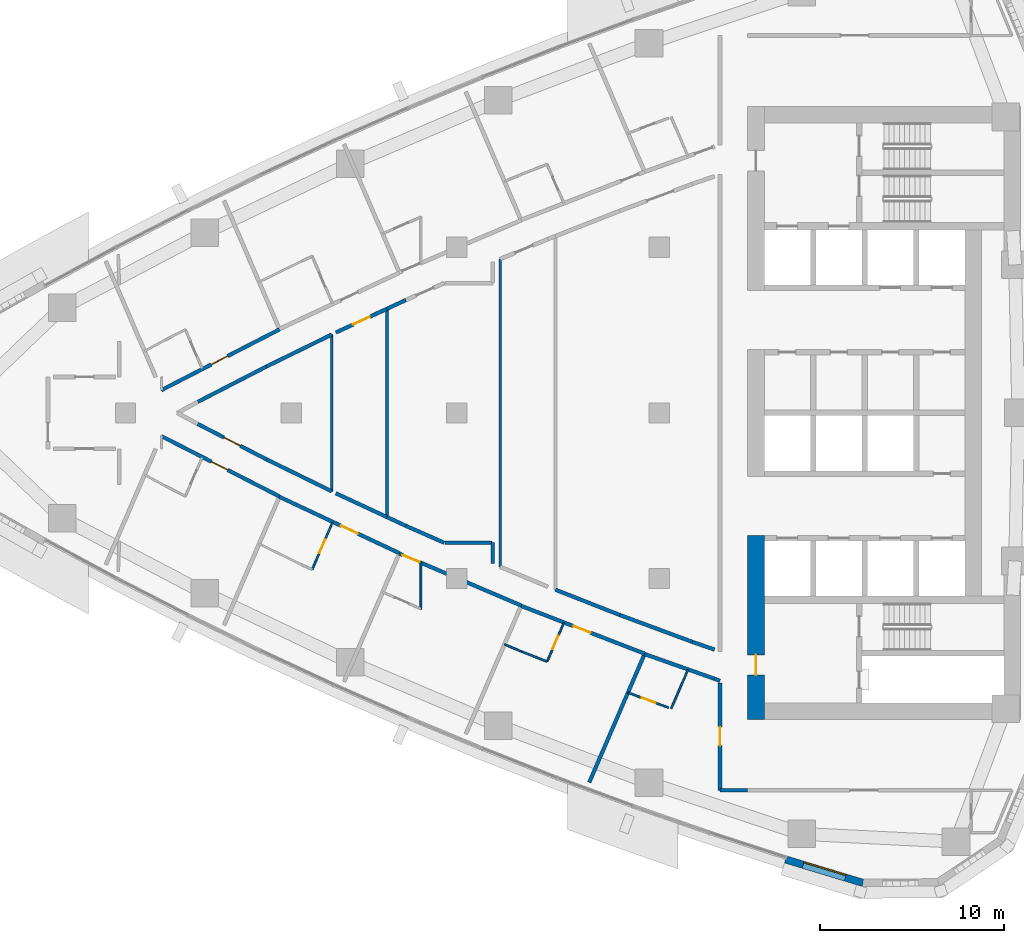
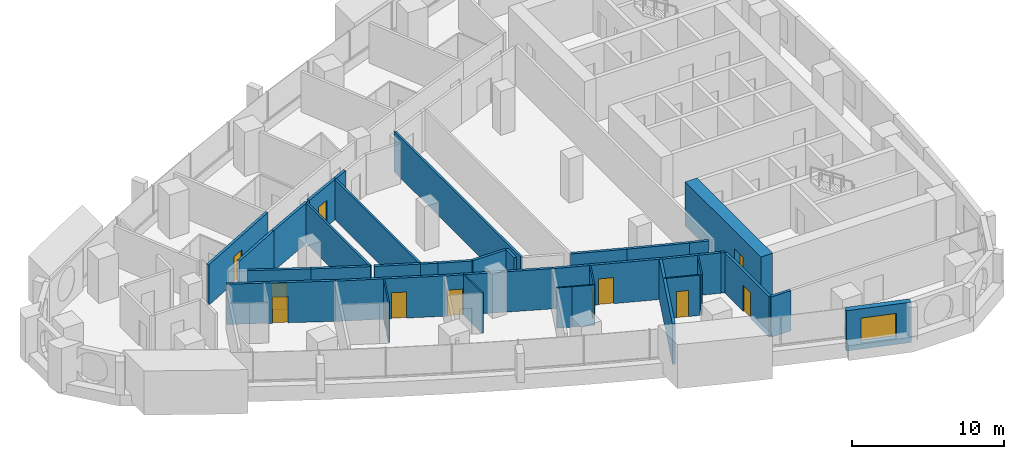
# One storey, part 9 of 17: 36 walls, 12 doors, 1 window, 13 openings.
"""IFC4 building model written with IfcOpenShell, lengths in metres."""

import ifcopenshell
import ifcopenshell.guid

model = None  # the IFC model being written
_history = None  # IfcOwnerHistory: only IFC2X3 demands one
_inside = {}  # id of a spatial element -> (the spatial element, [elements in it])
_under = {}  # id of a project, library or spatial element -> (it, [spatial elements below it])
_declared = {}  # id of a project -> (the project, [libraries it declares])
_typed = {}  # id of a type object -> (the type object, [elements of that type])
_made_of = {}  # id of a material, layer set ... -> (it, [elements and type objects made of it])


def new_model(schema):
    """Start an empty IFC model of exactly this schema.

    Asked for "IFC4X3", IfcOpenShell would pick the latest addendum, in which some entities
    have other attributes; the version numbers below select the first issue.
    IFC2X3 requires an IfcOwnerHistory on every rooted entity: one is made here for all.
    """
    global model, _history
    if schema == "IFC4X3":
        model = ifcopenshell.file(schema_version=(4, 3, 0, 0))
    else:
        model = ifcopenshell.file(schema=schema)
    _inside.clear()
    _under.clear()
    _declared.clear()
    _typed.clear()
    _made_of.clear()
    _history = None
    if model.schema == "IFC2X3":
        org = make("IfcOrganization", Name="unknown")
        user = make(
            "IfcPersonAndOrganization",
            ThePerson=make("IfcPerson", FamilyName="unknown"),
            TheOrganization=org,
        )
        app = make(
            "IfcApplication",
            ApplicationDeveloper=org,
            Version="unknown",
            ApplicationFullName="unknown",
            ApplicationIdentifier="unknown",
        )
        _history = make(
            "IfcOwnerHistory",
            OwningUser=user,
            OwningApplication=app,
            ChangeAction="ADDED",
            CreationDate=0,
        )
    return model


def make(cls, **values):
    """One entity of the class cls with the attributes given. An attribute that is None is left unset."""
    return model.create_entity(
        cls, **{name: value for name, value in values.items() if value is not None}
    )


def rooted(cls, **values):
    """An entity with a GlobalId (a new one), such as an element, a storey or a relation."""
    return make(cls, GlobalId=ifcopenshell.guid.new(), OwnerHistory=_history, **values)


def si_unit(unit_type, name, prefix=None):
    """IfcSIUnit, for example si_unit("LENGTHUNIT", "METRE", prefix="MILLI")."""
    return make("IfcSIUnit", UnitType=unit_type, Prefix=prefix, Name=name)


def assignment(units):
    """IfcUnitAssignment: the units of a project."""
    return None if units is None else make("IfcUnitAssignment", Units=units)


def point(xyz):
    """IfcCartesianPoint."""
    return None if xyz is None else make("IfcCartesianPoint", Coordinates=xyz)


def direction(xyz):
    """IfcDirection."""
    return None if xyz is None else make("IfcDirection", DirectionRatios=xyz)


def frame(location, z_axis=None, x_axis=None):
    """IfcAxis2Placement3D, a coordinate frame: its origin and axes. An axis left out is left unset."""
    return make(
        "IfcAxis2Placement3D",
        Location=point(location),
        Axis=direction(z_axis),
        RefDirection=direction(x_axis),
    )


def frame_2d(location, x_axis=None):
    """IfcAxis2Placement2D, a coordinate frame in the plane: its origin and x axis."""
    return make(
        "IfcAxis2Placement2D", Location=point(location), RefDirection=direction(x_axis)
    )


def origin():
    """The frame at (0, 0, 0) with its axes left unset."""
    return frame((0.0, 0.0, 0.0))


def place(relative_to, where):
    """IfcLocalPlacement: puts the frame where relative to a parent placement (None: the world)."""
    return make(
        "IfcLocalPlacement", PlacementRelTo=relative_to, RelativePlacement=where
    )


def context(
    kind, dimensions, precision=None, world=None, true_north=None, identifier=None
):
    """IfcGeometricRepresentationContext, for example the 3D "Model" context."""
    return make(
        "IfcGeometricRepresentationContext",
        ContextIdentifier=identifier,
        ContextType=kind,
        CoordinateSpaceDimension=dimensions,
        Precision=precision,
        WorldCoordinateSystem=world,
        TrueNorth=true_north,
    )


def subcontext(parent, identifier, kind, view, scale=None):
    """IfcGeometricRepresentationSubContext, for example "Body" below "Model"."""
    return make(
        "IfcGeometricRepresentationSubContext",
        ContextIdentifier=identifier,
        ContextType=kind,
        ParentContext=parent,
        TargetScale=scale,
        TargetView=view,
    )


def project(units=None, contexts=None):
    """IfcProject with its units and contexts."""
    return rooted(
        "IfcProject",
        Name="project",
        RepresentationContexts=contexts,
        UnitsInContext=assignment(units),
    )


def spatial(cls, under=None, at=None, **own):
    """A site, building, storey or space (cls), placed at a placement, below another one or the project."""
    s = rooted(cls, ObjectPlacement=at, **own)
    if under is not None:
        _under.setdefault(under.id(), (under, []))[1].append(s)
    return s


def polyline(points):
    """IfcPolyline through the points."""
    return make("IfcPolyline", Points=[point(p) for p in points])


def profile(cls, at=None, kind="AREA", **sizes):
    """A parametric profile (cls). Its sizes go by their IFC names, for example OverallWidth=200.0."""
    return make(cls, ProfileType=kind, Position=at, **sizes)


def rectangle(**sizes):
    """IfcRectangleProfileDef."""
    return profile("IfcRectangleProfileDef", **sizes)


def outline(outer, holes=None, kind="AREA"):
    """IfcArbitraryClosedProfileDef: a profile drawn as a closed curve; with holes, ...WithVoids."""
    if holes is None:
        return make("IfcArbitraryClosedProfileDef", ProfileType=kind, OuterCurve=outer)
    return make(
        "IfcArbitraryProfileDefWithVoids",
        ProfileType=kind,
        OuterCurve=outer,
        InnerCurves=holes,
    )


def extrude(swept, where, along, depth):
    """IfcExtrudedAreaSolid: the profile swept, set in the frame where, extruded along a direction by depth."""
    return make(
        "IfcExtrudedAreaSolid",
        SweptArea=swept,
        Position=where,
        ExtrudedDirection=direction(along),
        Depth=depth,
    )


def shape(context_of_items, identifier, shape_type, items):
    """IfcShapeRepresentation: the items that make up one representation, for example the "Body"."""
    return make(
        "IfcShapeRepresentation",
        ContextOfItems=context_of_items,
        RepresentationIdentifier=identifier,
        RepresentationType=shape_type,
        Items=items,
    )


def material(Name=None, Category=None):
    """IfcMaterial."""
    return make("IfcMaterial", Name=Name, Category=Category)


def layer(
    of_material, thickness, ventilated=None, Name=None, Category=None, Priority=None
):
    """IfcMaterialLayer: one layer of a wall or slab, of a material (None: an air gap)."""
    return make(
        "IfcMaterialLayer",
        Material=of_material,
        LayerThickness=thickness,
        IsVentilated=ventilated,
        Name=Name,
        Category=Category,
        Priority=Priority,
    )


def layer_set(layers, Name=None):
    """IfcMaterialLayerSet."""
    return make("IfcMaterialLayerSet", MaterialLayers=layers, LayerSetName=Name)


def made_of(thing, what):
    """Note that an element or type object is made of a material, layer set ...; save() writes the relation."""
    if what is not None:
        _made_of.setdefault(what.id(), (what, []))[1].append(thing)
    return thing


def type_object(cls, material=None, **own):
    """A type object (cls), such as IfcWallType, which elements share."""
    return made_of(rooted(cls, **own), material)


def element(
    cls,
    number,
    at=None,
    inside=None,
    cuts=None,
    type_object=None,
    material=None,
    context=None,
    identifier="Body",
    shape_type=None,
    held_by="IfcProductDefinitionShape",
    body=None,
    shapes=None,
    **own,
):
    """One element of the class cls, such as IfcWall. Its Tag is "e" and its number.

    at: its placement. inside: the storey or other place that contains it. cuts: it is an
    opening in that element (IfcRelVoidsElement). A single representation is given by context,
    identifier, shape_type and body (its items); several are given by shapes. held_by: the class
    of the entity that holds the representations. save() writes the other relations.
    """
    e = rooted(cls, Tag="e%d" % number, ObjectPlacement=at, **own)
    if body is not None:
        shapes = [shape(context, identifier, shape_type, body)]
    if shapes is not None:
        e.Representation = make(held_by, Representations=shapes)
    if inside is not None:
        _inside.setdefault(inside.id(), (inside, []))[1].append(e)
    if cuts is not None:
        rooted(
            "IfcRelVoidsElement", RelatingBuildingElement=cuts, RelatedOpeningElement=e
        )
    if type_object is not None:
        _typed.setdefault(type_object.id(), (type_object, []))[1].append(e)
    return made_of(e, material)


def fill(opening, filler):
    """IfcRelFillsElement: the door or window that sits in an opening."""
    return rooted(
        "IfcRelFillsElement",
        RelatingOpeningElement=opening,
        RelatedBuildingElement=filler,
    )


def aggregate(whole, parts):
    """IfcRelAggregates: a whole, such as a stair, and the parts it consists of."""
    return rooted("IfcRelAggregates", RelatingObject=whole, RelatedObjects=parts)


def save(model, path):
    """Write the relations noted so far, then the file.

    IfcRelAggregates (storeys below a building ...), IfcRelContainedInSpatialStructure (elements
    in a storey), IfcRelDefinesByType, IfcRelAssociatesMaterial and IfcRelDeclares: one each for
    every whole, place, type object, material and project.
    """
    for whole, parts in _under.values():
        aggregate(whole, parts)
    for where, things in _inside.values():
        rooted(
            "IfcRelContainedInSpatialStructure",
            RelatedElements=things,
            RelatingStructure=where,
        )
    for kind, things in _typed.values():
        rooted("IfcRelDefinesByType", RelatedObjects=things, RelatingType=kind)
    for what, things in _made_of.values():
        rooted("IfcRelAssociatesMaterial", RelatedObjects=things, RelatingMaterial=what)
    for by, libraries in _declared.values():
        rooted("IfcRelDeclares", RelatingContext=by, RelatedDefinitions=libraries)
    model.write(path)


model = new_model("IFC4")

# Units and contexts
model_context = context("Model", 3, precision=1e-05, world=origin(), true_north=direction((0.0, 1.0)))
body_context = subcontext(model_context, "Body", "Model", "MODEL_VIEW")
ifc_project = project(units=[si_unit("LENGTHUNIT", "METRE"), si_unit("AREAUNIT", "SQUARE_METRE"), si_unit("VOLUMEUNIT", "CUBIC_METRE"), si_unit("PLANEANGLEUNIT", "RADIAN"), si_unit("MASSUNIT", "GRAM", prefix="KILO")], contexts=[model_context])

# Site, building, storey
site_placement = place(None, origin())
site = spatial("IfcSite", under=ifc_project, at=site_placement, CompositionType="ELEMENT")
building_placement = place(site_placement, origin())
building = spatial("IfcBuilding", under=site, at=building_placement, Name="Ostrand Prow Hotel Tower", CompositionType="ELEMENT")
storey_placement = place(building_placement, frame((0.0, 0.0, 137.300048828125)))
storey = spatial("IfcBuildingStorey", under=building, at=storey_placement, Name="L33", CompositionType="ELEMENT", Elevation=137.300048828125)

# Wall, opening, door
ifc_material_1 = material(Name="Concrete C70/85", Category="concrete")
ifc_layer_1 = layer(ifc_material_1, 0.89990234375)
ifc_layer_set_1 = layer_set([ifc_layer_1], Name="Concrete C70/85")
wall_type_1 = type_object("IfcWallType", Name="Core wall 900 C70/85", PredefinedType="SHEAR", material=ifc_layer_set_1)
wall_1_placement = place(storey_placement, frame((50.25, -16.64990234375, 0.0), z_axis=(0.0, 0.0, 1.0), x_axis=(0.0, 1.0, 0.0)))
wall_1 = element("IfcWall", 1, at=wall_1_placement, inside=storey, type_object=wall_type_1, Name="Core wall CW-W-S", PredefinedType="SHEAR", context=body_context, shape_type="SweptSolid", body=[
    extrude(rectangle(XDim=10.0, YDim=0.89990234375, at=frame_2d((5.0, 0.0))), origin(), (0.0, 0.0, 1.0), 3.550048828125),
])
opening_1_placement = place(wall_1_placement, frame((2.39990234375, 0.0, 0.0)))
opening_1 = element("IfcOpeningElement", 2, at=opening_1_placement, cuts=wall_1, Name="Opening FD1", PredefinedType="OPENING", context=body_context, shape_type="SweptSolid", body=[
    extrude(rectangle(XDim=1.10009765625, YDim=2.10009765625, at=frame_2d((0.550048828125, 1.050048828125))), frame((0.0, 0.4599609375, 0.0), z_axis=(0.0, -1.0, 0.0), x_axis=(1.0, 0.0, 0.0)), (0.0, 0.0, 1.0), 0.919921875),
])
ifc_material_2 = material(Name="Steel fire door", Category="steel")
door_type_1 = type_object("IfcDoorType", Name="Fire door 1100 EI120", OperationType="SINGLE_SWING_RIGHT", PredefinedType="DOOR", material=ifc_material_2)
door_1_placement = place(opening_1_placement, origin())
door_1 = element("IfcDoor", 3, at=door_1_placement, inside=storey, type_object=door_type_1, Name="FIRE DOOR", OperationType="SINGLE_SWING_RIGHT", OverallHeight=2.10009765625, OverallWidth=1.10009765625, PredefinedType="DOOR", context=body_context, shape_type="SweptSolid", body=[
    extrude(rectangle(XDim=1.10009765625, YDim=2.10009765625, at=frame_2d((0.550048828125, 1.050048828125))), frame((0.0, 0.02490234375, 0.0), z_axis=(0.0, -1.0, 0.0), x_axis=(1.0, 0.0, 0.0)), (0.0, 0.0, 1.0), 0.050048828125),
])
fill(opening_1, door_1)

ifc_material_3 = material(Name="Plasterboard partition")
ifc_layer_2 = layer(ifc_material_3, 0.10009765625)
ifc_layer_set_2 = layer_set([ifc_layer_2], Name="Plasterboard partition")
wall_type_2 = type_object("IfcWallType", Name="Partition 100 bathroom wall", PredefinedType="PARTITIONING", material=ifc_layer_set_2)
wall_2_placement = place(storey_placement, frame((27.239990234375, -5.959228515625, 0.0), z_axis=(0.0, 0.0, 1.0), x_axis=(-0.396018464604, -0.918242547311, 0.0)))
wall_2 = element("IfcWall", 4, at=wall_2_placement, inside=storey, type_object=wall_type_2, Name="BATHROOM WALL", PredefinedType="PARTITIONING", context=body_context, shape_type="SweptSolid", body=[
    extrude(rectangle(XDim=2.77783203125, YDim=0.10009765625, at=frame_2d((1.388916015625, 0.0))), origin(), (0.0, 0.0, 1.0), 3.25),
])
opening_2_placement = place(wall_2_placement, frame((1.0, 0.0, 0.0)))
opening_2 = element("IfcOpeningElement", 5, at=opening_2_placement, cuts=wall_2, Name="Opening D2", PredefinedType="OPENING", context=body_context, shape_type="SweptSolid", body=[
    extrude(rectangle(XDim=0.800048828125, YDim=2.10009765625, at=frame_2d((0.39990234375, 1.050048828125))), frame((0.0, 0.06005859375, 0.0), z_axis=(0.0, -1.0, 0.0), x_axis=(1.0, 0.0, 0.0)), (0.0, 0.0, 1.0), 0.1201171875),
])
ifc_material_4 = material(Name="Timber door leaf", Category="wood")
door_type_2 = type_object("IfcDoorType", Name="Bathroom door 800", OperationType="SINGLE_SWING_LEFT", PredefinedType="DOOR", material=ifc_material_4)
door_2_placement = place(opening_2_placement, origin())
door_2 = element("IfcDoor", 6, at=door_2_placement, inside=storey, type_object=door_type_2, Name="DOOR", OperationType="SINGLE_SWING_LEFT", OverallHeight=2.10009765625, OverallWidth=0.800048828125, PredefinedType="DOOR", context=body_context, shape_type="SweptSolid", body=[
    extrude(rectangle(XDim=0.800048828125, YDim=2.10009765625, at=frame_2d((0.39990234375, 1.050048828125))), frame((0.0, 0.02490234375, 0.0), z_axis=(0.0, -1.0, 0.0), x_axis=(1.0, 0.0, 0.0)), (0.0, 0.0, 1.0), 0.050048828125),
])
fill(opening_2, door_2)

wall_3_placement = place(storey_placement, frame((39.805908203125, -11.4169921875, 0.0), z_axis=(0.0, 0.0, 1.0), x_axis=(-0.396000751487, -0.918250186399, 0.0)))
wall_3 = element("IfcWall", 7, at=wall_3_placement, inside=storey, type_object=wall_type_2, Name="BATHROOM WALL", PredefinedType="PARTITIONING", context=body_context, shape_type="SweptSolid", body=[
    extrude(rectangle(XDim=2.278076171875, YDim=0.10009765625, at=frame_2d((1.13916015625, 0.0))), origin(), (0.0, 0.0, 1.0), 3.25),
])
opening_3_placement = place(wall_3_placement, frame((0.75, 0.0, 0.0)))
opening_3 = element("IfcOpeningElement", 8, at=opening_3_placement, cuts=wall_3, Name="Opening D2", PredefinedType="OPENING", context=body_context, shape_type="SweptSolid", body=[
    extrude(rectangle(XDim=0.800048828125, YDim=2.10009765625, at=frame_2d((0.39990234375, 1.050048828125))), frame((0.0, 0.06005859375, 0.0), z_axis=(0.0, -1.0, 0.0), x_axis=(1.0, 0.0, 0.0)), (0.0, 0.0, 1.0), 0.1201171875),
])
door_3_placement = place(opening_3_placement, origin())
door_3 = element("IfcDoor", 9, at=door_3_placement, inside=storey, type_object=door_type_2, Name="DOOR", OperationType="SINGLE_SWING_LEFT", OverallHeight=2.10009765625, OverallWidth=0.800048828125, PredefinedType="DOOR", context=body_context, shape_type="SweptSolid", body=[
    extrude(rectangle(XDim=0.800048828125, YDim=2.10009765625, at=frame_2d((0.39990234375, 1.050048828125))), frame((0.0, 0.02490234375, 0.0), z_axis=(0.0, -1.0, 0.0), x_axis=(1.0, 0.0, 0.0)), (0.0, 0.0, 1.0), 0.050048828125),
])
fill(opening_3, door_3)

# Walls
wall_4_placement = place(storey_placement, frame((38.90380859375, -13.5087890625, 0.0), z_axis=(0.0, 0.0, 1.0), x_axis=(-0.930584239012, 0.366077825199, 0.0)))
element("IfcWall", 10, at=wall_4_placement, inside=storey, type_object=wall_type_2, Name="BATHROOM WALL", PredefinedType="PARTITIONING", context=body_context, shape_type="SweptSolid", body=[
    extrude(rectangle(XDim=1.4912109375, YDim=0.10009765625, at=frame_2d((0.74560546875, 0.0))), origin(), (0.0, 0.0, 1.0), 3.25),
])
wall_5_placement = place(storey_placement, frame((37.51611328125, -12.962890625, 0.0), z_axis=(0.0, 0.0, 1.0), x_axis=(-0.923026834192, 0.384735575897, 0.0)))
element("IfcWall", 11, at=wall_5_placement, inside=storey, type_object=wall_type_2, Name="BATHROOM WALL", PredefinedType="PARTITIONING", context=body_context, shape_type="SweptSolid", body=[
    extrude(rectangle(XDim=1.009521484375, YDim=0.10009765625, at=frame_2d((0.5048828125, 0.0))), origin(), (0.0, 0.0, 1.0), 3.25),
])
wall_6_placement = place(storey_placement, frame((46.5478515625, -13.965087890625, 0.0), z_axis=(0.0, 0.0, 1.0), x_axis=(-0.395944391694, -0.918274489837, 0.0)))
element("IfcWall", 12, at=wall_6_placement, inside=storey, type_object=wall_type_2, Name="BATHROOM WALL", PredefinedType="PARTITIONING", context=body_context, shape_type="SweptSolid", body=[
    extrude(rectangle(XDim=2.283203125, YDim=0.10009765625, at=frame_2d((1.1416015625, 0.0))), origin(), (0.0, 0.0, 1.0), 3.25),
])

# Wall, opening, door
wall_7_placement = place(storey_placement, frame((45.497314453125, -16.0107421875, 0.0), z_axis=(0.0, 0.0, 1.0), x_axis=(-0.937739981943, 0.347338057613, 0.0)))
wall_7 = element("IfcWall", 13, at=wall_7_placement, inside=storey, type_object=wall_type_2, Name="BATHROOM WALL", PredefinedType="PARTITIONING", context=body_context, shape_type="SweptSolid", body=[
    extrude(rectangle(XDim=2.348388671875, YDim=0.10009765625, at=frame_2d((1.17431640625, 0.0))), origin(), (0.0, 0.0, 1.0), 3.25),
])
opening_4_placement = place(wall_7_placement, frame((0.75, 0.0, 0.0)))
opening_4 = element("IfcOpeningElement", 14, at=opening_4_placement, cuts=wall_7, Name="Opening D2", PredefinedType="OPENING", context=body_context, shape_type="SweptSolid", body=[
    extrude(rectangle(XDim=0.800048828125, YDim=2.10009765625, at=frame_2d((0.39990234375, 1.050048828125))), frame((0.0, 0.06005859375, 0.0), z_axis=(0.0, -1.0, 0.0), x_axis=(1.0, 0.0, 0.0)), (0.0, 0.0, 1.0), 0.1201171875),
])
door_4_placement = place(opening_4_placement, origin())
door_4 = element("IfcDoor", 15, at=door_4_placement, inside=storey, type_object=door_type_2, Name="DOOR", OperationType="SINGLE_SWING_LEFT", OverallHeight=2.10009765625, OverallWidth=0.800048828125, PredefinedType="DOOR", context=body_context, shape_type="SweptSolid", body=[
    extrude(rectangle(XDim=0.800048828125, YDim=2.10009765625, at=frame_2d((0.39990234375, 1.050048828125))), frame((0.0, 0.02490234375, 0.0), z_axis=(0.0, -1.0, 0.0), x_axis=(1.0, 0.0, 0.0)), (0.0, 0.0, 1.0), 0.050048828125),
])
fill(opening_4, door_4)

# Walls
wall_8_placement = place(storey_placement, frame((32.044921875, -8.13818359375, 0.0), z_axis=(0.0, 0.0, 1.0), x_axis=(0.0, -1.0, 0.0)))
element("IfcWall", 16, at=wall_8_placement, inside=storey, type_object=wall_type_2, Name="BATHROOM WALL", PredefinedType="PARTITIONING", context=body_context, shape_type="SweptSolid", body=[
    extrude(rectangle(XDim=2.52294921875, YDim=0.10009765625, at=frame_2d((1.261474609375, 0.0))), origin(), (0.0, 0.0, 1.0), 3.25),
])
ifc_material_5 = material(Name="Plasterboard partition")
ifc_layer_3 = layer(ifc_material_5, 0.14990234375)
ifc_layer_set_3 = layer_set([ifc_layer_3], Name="Plasterboard partition")
wall_type_3 = type_object("IfcWallType", Name="Partition 150 room partition", PredefinedType="PARTITIONING", material=ifc_layer_set_3)
wall_9_placement = place(storey_placement, frame((27.201904296875, -4.256591796875, 0.0), z_axis=(0.0, 0.0, 1.0), x_axis=(0.0, 1.0, 0.0)))
element("IfcWall", 17, at=wall_9_placement, inside=storey, type_object=wall_type_3, Name="ROOM PARTITION", PredefinedType="PARTITIONING", context=body_context, shape_type="SweptSolid", body=[
    extrude(rectangle(XDim=8.51318359375, YDim=0.14990234375, at=frame_2d((4.256591796875, 0.0))), origin(), (0.0, 0.0, 1.0), 3.25),
])
wall_10_placement = place(storey_placement, frame((30.201904296875, -5.656494140625, 0.0), z_axis=(0.0, 0.0, 1.0), x_axis=(0.0, 1.0, 0.0)))
element("IfcWall", 18, at=wall_10_placement, inside=storey, type_object=wall_type_3, Name="ROOM PARTITION", PredefinedType="PARTITIONING", context=body_context, shape_type="SweptSolid", body=[
    extrude(rectangle(XDim=11.31298828125, YDim=0.14990234375, at=frame_2d((5.656494140625, 0.0))), origin(), (0.0, 0.0, 1.0), 3.25),
])
wall_11_placement = place(storey_placement, frame((36.35302734375, -8.361083984375, 0.0), z_axis=(0.0, 0.0, 1.0), x_axis=(0.0, 1.0, 0.0)))
element("IfcWall", 19, at=wall_11_placement, inside=storey, type_object=wall_type_3, Name="ROOM PARTITION", PredefinedType="PARTITIONING", context=body_context, shape_type="SweptSolid", body=[
    extrude(rectangle(XDim=16.72216796875, YDim=0.14990234375, at=frame_2d((8.361083984375, 0.0))), origin(), (0.0, 0.0, 1.0), 3.25),
])

# Wall, opening, door
ifc_material_6 = material(Name="Plasterboard partition")
ifc_layer_4 = layer(ifc_material_6, 0.199951171875)
ifc_layer_set_4 = layer_set([ifc_layer_4], Name="Plasterboard partition")
wall_type_4 = type_object("IfcWallType", Name="Partition 200 corridor wall", PredefinedType="PARTITIONING", material=ifc_layer_set_4)
wall_12_placement = place(storey_placement, frame((17.949951171875, 1.238037109375, 0.0), z_axis=(0.0, 0.0, 1.0), x_axis=(0.889253598622, 0.457414513694, 0.0)))
wall_12 = element("IfcWall", 20, at=wall_12_placement, inside=storey, type_object=wall_type_4, Name="CORRIDOR WALL", PredefinedType="PARTITIONING", context=body_context, shape_type="SweptSolid", body=[
    extrude(rectangle(XDim=7.216796875, YDim=0.199951171875, at=frame_2d((3.6083984375, 0.0))), origin(), (0.0, 0.0, 1.0), 3.25),
])
opening_5_placement = place(wall_12_placement, frame((3.050048828125, 0.0, 0.0)))
opening_5 = element("IfcOpeningElement", 21, at=opening_5_placement, cuts=wall_12, Name="Opening D1", PredefinedType="OPENING", context=body_context, shape_type="SweptSolid", body=[
    extrude(rectangle(XDim=1.0, YDim=2.10009765625, at=frame_2d((0.5, 1.050048828125))), frame((0.0, 0.10986328125, 0.0), z_axis=(0.0, -1.0, 0.0), x_axis=(1.0, 0.0, 0.0)), (0.0, 0.0, 1.0), 0.219970703125),
])
ifc_material_7 = material(Name="Timber door leaf", Category="wood")
door_type_3 = type_object("IfcDoorType", Name="Guest room door 1000", OperationType="SINGLE_SWING_LEFT", PredefinedType="DOOR", material=ifc_material_7)
door_5_placement = place(opening_5_placement, origin())
door_5 = element("IfcDoor", 22, at=door_5_placement, inside=storey, type_object=door_type_3, Name="DOOR", OperationType="SINGLE_SWING_LEFT", OverallHeight=2.10009765625, OverallWidth=1.0, PredefinedType="DOOR", context=body_context, shape_type="SweptSolid", body=[
    extrude(rectangle(XDim=1.0, YDim=2.10009765625, at=frame_2d((0.5, 1.050048828125))), frame((0.0, 0.02490234375, 0.0), z_axis=(0.0, -1.0, 0.0), x_axis=(1.0, 0.0, 0.0)), (0.0, 0.0, 1.0), 0.050048828125),
])
fill(opening_5, door_5)

wall_13_placement = place(storey_placement, frame((17.949951171875, -1.2607421875, 0.0), z_axis=(0.0, 0.0, 1.0), x_axis=(0.890531681441, -0.45492122873, 0.0)))
wall_13 = element("IfcWall", 23, at=wall_13_placement, inside=storey, type_object=wall_type_4, Name="CORRIDOR WALL", PredefinedType="PARTITIONING", context=body_context, shape_type="SweptSolid", body=[
    extrude(rectangle(XDim=7.206298828125, YDim=0.199951171875, at=frame_2d((3.60302734375, 0.0))), origin(), (0.0, 0.0, 1.0), 3.25),
])
opening_6_placement = place(wall_13_placement, frame((3.050048828125, 0.0, 0.0)))
opening_6 = element("IfcOpeningElement", 24, at=opening_6_placement, cuts=wall_13, Name="Opening D1", PredefinedType="OPENING", context=body_context, shape_type="SweptSolid", body=[
    extrude(rectangle(XDim=1.0, YDim=2.10009765625, at=frame_2d((0.5, 1.050048828125))), frame((0.0, 0.10986328125, 0.0), z_axis=(0.0, -1.0, 0.0), x_axis=(1.0, 0.0, 0.0)), (0.0, 0.0, 1.0), 0.219970703125),
])
door_6_placement = place(opening_6_placement, origin())
door_6 = element("IfcDoor", 25, at=door_6_placement, inside=storey, type_object=door_type_3, Name="DOOR", OperationType="SINGLE_SWING_LEFT", OverallHeight=2.10009765625, OverallWidth=1.0, PredefinedType="DOOR", context=body_context, shape_type="SweptSolid", body=[
    extrude(rectangle(XDim=1.0, YDim=2.10009765625, at=frame_2d((0.5, 1.050048828125))), frame((0.0, 0.02490234375, 0.0), z_axis=(0.0, -1.0, 0.0), x_axis=(1.0, 0.0, 0.0)), (0.0, 0.0, 1.0), 0.050048828125),
])
fill(opening_6, door_6)

wall_14_placement = place(storey_placement, frame((24.359619140625, -4.557373046875, 0.0), z_axis=(0.0, 0.0, 1.0), x_axis=(0.905157912263, -0.425075468439, 0.0)))
wall_14 = element("IfcWall", 26, at=wall_14_placement, inside=storey, type_object=wall_type_4, Name="CORRIDOR WALL", PredefinedType="PARTITIONING", context=body_context, shape_type="SweptSolid", body=[
    extrude(rectangle(XDim=7.203369140625, YDim=0.199951171875, at=frame_2d((3.6015625, 0.0))), origin(), (0.0, 0.0, 1.0), 3.25),
])
opening_7_placement = place(wall_14_placement, frame((3.699951171875, 0.0, 0.0)))
opening_7 = element("IfcOpeningElement", 27, at=opening_7_placement, cuts=wall_14, Name="Opening D1", PredefinedType="OPENING", context=body_context, shape_type="SweptSolid", body=[
    extrude(rectangle(XDim=1.0, YDim=2.10009765625, at=frame_2d((0.5, 1.050048828125))), frame((0.0, 0.10986328125, 0.0), z_axis=(0.0, -1.0, 0.0), x_axis=(1.0, 0.0, 0.0)), (0.0, 0.0, 1.0), 0.219970703125),
])
door_7_placement = place(opening_7_placement, origin())
door_7 = element("IfcDoor", 28, at=door_7_placement, inside=storey, type_object=door_type_3, Name="DOOR", OperationType="SINGLE_SWING_LEFT", OverallHeight=2.10009765625, OverallWidth=1.0, PredefinedType="DOOR", context=body_context, shape_type="SweptSolid", body=[
    extrude(rectangle(XDim=1.0, YDim=2.10009765625, at=frame_2d((0.5, 1.050048828125))), frame((0.0, 0.02490234375, 0.0), z_axis=(0.0, -1.0, 0.0), x_axis=(1.0, 0.0, 0.0)), (0.0, 0.0, 1.0), 0.050048828125),
])
fill(opening_7, door_7)

wall_15_placement = place(storey_placement, frame((30.8720703125, -7.6376953125, 0.0), z_axis=(0.0, 0.0, 1.0), x_axis=(0.919834621271, -0.392306346509, 0.0)))
wall_15 = element("IfcWall", 29, at=wall_15_placement, inside=storey, type_object=wall_type_4, Name="CORRIDOR WALL", PredefinedType="PARTITIONING", context=body_context, shape_type="SweptSolid", body=[
    extrude(rectangle(XDim=7.2001953125, YDim=0.199951171875, at=frame_2d((3.60009765625, 0.0))), origin(), (0.0, 0.0, 1.0), 3.25),
])
opening_8_placement = place(wall_15_placement, frame((0.199951171875, 0.0, 0.0)))
opening_8 = element("IfcOpeningElement", 30, at=opening_8_placement, cuts=wall_15, Name="Opening D1", PredefinedType="OPENING", context=body_context, shape_type="SweptSolid", body=[
    extrude(rectangle(XDim=1.0, YDim=2.10009765625, at=frame_2d((0.5, 1.050048828125))), frame((0.0, 0.10986328125, 0.0), z_axis=(0.0, -1.0, 0.0), x_axis=(1.0, 0.0, 0.0)), (0.0, 0.0, 1.0), 0.219970703125),
])
door_8_placement = place(opening_8_placement, origin())
door_8 = element("IfcDoor", 31, at=door_8_placement, inside=storey, type_object=door_type_3, Name="DOOR", OperationType="SINGLE_SWING_LEFT", OverallHeight=2.10009765625, OverallWidth=1.0, PredefinedType="DOOR", context=body_context, shape_type="SweptSolid", body=[
    extrude(rectangle(XDim=1.0, YDim=2.10009765625, at=frame_2d((0.5, 1.050048828125))), frame((0.0, 0.02490234375, 0.0), z_axis=(0.0, -1.0, 0.0), x_axis=(1.0, 0.0, 0.0)), (0.0, 0.0, 1.0), 0.050048828125),
])
fill(opening_8, door_8)

wall_16_placement = place(storey_placement, frame((37.487060546875, -10.480712890625, 0.0), z_axis=(0.0, 0.0, 1.0), x_axis=(0.932657486666, -0.360763097567, 0.0)))
wall_16 = element("IfcWall", 32, at=wall_16_placement, inside=storey, type_object=wall_type_4, Name="CORRIDOR WALL", PredefinedType="PARTITIONING", context=body_context, shape_type="SweptSolid", body=[
    extrude(rectangle(XDim=7.205078125, YDim=0.199951171875, at=frame_2d((3.6025390625, 0.0))), origin(), (0.0, 0.0, 1.0), 3.25),
])
opening_9_placement = place(wall_16_placement, frame((3.050048828125, 0.0, 0.0)))
opening_9 = element("IfcOpeningElement", 33, at=opening_9_placement, cuts=wall_16, Name="Opening D1", PredefinedType="OPENING", context=body_context, shape_type="SweptSolid", body=[
    extrude(rectangle(XDim=1.0, YDim=2.10009765625, at=frame_2d((0.5, 1.050048828125))), frame((0.0, 0.10986328125, 0.0), z_axis=(0.0, -1.0, 0.0), x_axis=(1.0, 0.0, 0.0)), (0.0, 0.0, 1.0), 0.219970703125),
])
door_9_placement = place(opening_9_placement, origin())
door_9 = element("IfcDoor", 34, at=door_9_placement, inside=storey, type_object=door_type_3, Name="DOOR", OperationType="SINGLE_SWING_LEFT", OverallHeight=2.10009765625, OverallWidth=1.0, PredefinedType="DOOR", context=body_context, shape_type="SweptSolid", body=[
    extrude(rectangle(XDim=1.0, YDim=2.10009765625, at=frame_2d((0.5, 1.050048828125))), frame((0.0, 0.02490234375, 0.0), z_axis=(0.0, -1.0, 0.0), x_axis=(1.0, 0.0, 0.0)), (0.0, 0.0, 1.0), 0.050048828125),
])
fill(opening_9, door_9)

wall_17_placement = place(storey_placement, frame((23.65869140625, -2.52197265625, 0.0), z_axis=(0.0, 0.0, 1.0), x_axis=(-0.889140337289, 0.457634636589, 0.0)))
wall_17 = element("IfcWall", 35, at=wall_17_placement, inside=storey, type_object=wall_type_4, Name="CORRIDOR WALL", PredefinedType="PARTITIONING", context=body_context, shape_type="SweptSolid", body=[
    extrude(rectangle(XDim=4.1953125, YDim=0.199951171875, at=frame_2d((2.09765625, 0.0))), origin(), (0.0, 0.0, 1.0), 3.25),
])
opening_10_placement = place(wall_17_placement, frame((1.59765625, 0.0, 0.0)))
opening_10 = element("IfcOpeningElement", 36, at=opening_10_placement, cuts=wall_17, Name="Opening D1", PredefinedType="OPENING", context=body_context, shape_type="SweptSolid", body=[
    extrude(rectangle(XDim=1.0, YDim=2.10009765625, at=frame_2d((0.5, 1.050048828125))), frame((0.0, 0.10986328125, 0.0), z_axis=(0.0, -1.0, 0.0), x_axis=(1.0, 0.0, 0.0)), (0.0, 0.0, 1.0), 0.219970703125),
])
door_10_placement = place(opening_10_placement, origin())
door_10 = element("IfcDoor", 37, at=door_10_placement, inside=storey, type_object=door_type_3, Name="DOOR", OperationType="SINGLE_SWING_LEFT", OverallHeight=2.10009765625, OverallWidth=1.0, PredefinedType="DOOR", context=body_context, shape_type="SweptSolid", body=[
    extrude(rectangle(XDim=1.0, YDim=2.10009765625, at=frame_2d((0.5, 1.050048828125))), frame((0.0, 0.02490234375, 0.0), z_axis=(0.0, -1.0, 0.0), x_axis=(1.0, 0.0, 0.0)), (0.0, 0.0, 1.0), 0.050048828125),
])
fill(opening_10, door_10)

# Walls
wall_18_placement = place(storey_placement, frame((19.928466796875, 0.60205078125, 0.0), z_axis=(0.0, 0.0, 1.0), x_axis=(0.889140337289, 0.457634636589, 0.0)))
element("IfcWall", 38, at=wall_18_placement, inside=storey, type_object=wall_type_4, Name="CORRIDOR WALL", PredefinedType="PARTITIONING", context=body_context, shape_type="SweptSolid", body=[
    extrude(rectangle(XDim=4.1953125, YDim=0.199951171875, at=frame_2d((2.09765625, 0.0))), origin(), (0.0, 0.0, 1.0), 3.25),
])
for number, where, z_axis, x_axis, name in (
    (39, (23.65869140625, 2.52197265625, 0.0), (0.0, 0.0, 1.0), (0.898146009837, 0.439697333418, 0.0), "CORRIDOR WALL"),
    (40, (27.201904296875, -4.256591796875, 0.0), (0.0, 0.0, 1.0), (-0.898146009837, 0.439697333418, 0.0), "CORRIDOR WALL"),
):
    element("IfcWall", number, at=place(storey_placement, frame(where, z_axis=z_axis, x_axis=x_axis)), inside=storey, type_object=wall_type_4, Name=name, PredefinedType="PARTITIONING", context=body_context, shape_type="SweptSolid", body=[
        extrude(rectangle(XDim=3.945068359375, YDim=0.199951171875, at=frame_2d((1.97265625, 0.0))), origin(), (0.0, 0.0, 1.0), 3.25),
    ])

# Wall, opening, door
wall_19_placement = place(storey_placement, frame((27.4267578125, 4.36669921875, 0.0), z_axis=(0.0, 0.0, 1.0), x_axis=(0.906842391635, 0.42146990015, 0.0)))
wall_19 = element("IfcWall", 41, at=wall_19_placement, inside=storey, type_object=wall_type_4, Name="CORRIDOR WALL", PredefinedType="PARTITIONING", context=body_context, shape_type="SweptSolid", body=[
    extrude(rectangle(XDim=3.060302734375, YDim=0.199951171875, at=frame_2d((1.5302734375, 0.0))), origin(), (0.0, 0.0, 1.0), 3.25),
])
opening_11_placement = place(wall_19_placement, frame((1.030029296875, 0.0, 0.0)))
opening_11 = element("IfcOpeningElement", 42, at=opening_11_placement, cuts=wall_19, Name="Opening D1R", PredefinedType="OPENING", context=body_context, shape_type="SweptSolid", body=[
    extrude(rectangle(XDim=1.0, YDim=2.10009765625, at=frame_2d((0.5, 1.050048828125))), frame((0.0, 0.10986328125, 0.0), z_axis=(0.0, -1.0, 0.0), x_axis=(1.0, 0.0, 0.0)), (0.0, 0.0, 1.0), 0.219970703125),
])
ifc_material_8 = material(Name="Timber door leaf", Category="wood")
door_type_4 = type_object("IfcDoorType", Name="Guest room door 1000 right", OperationType="SINGLE_SWING_RIGHT", PredefinedType="DOOR", material=ifc_material_8)
door_11_placement = place(opening_11_placement, origin())
door_11 = element("IfcDoor", 43, at=door_11_placement, inside=storey, type_object=door_type_4, Name="DOOR", OperationType="SINGLE_SWING_RIGHT", OverallHeight=2.10009765625, OverallWidth=1.0, PredefinedType="DOOR", context=body_context, shape_type="SweptSolid", body=[
    extrude(rectangle(XDim=1.0, YDim=2.10009765625, at=frame_2d((0.5, 1.050048828125))), frame((0.0, 0.02490234375, 0.0), z_axis=(0.0, -1.0, 0.0), x_axis=(1.0, 0.0, 0.0)), (0.0, 0.0, 1.0), 0.050048828125),
])
fill(opening_11, door_11)

# Walls
wall_20_placement = place(storey_placement, frame((30.201904296875, -5.656494140625, 0.0), z_axis=(0.0, 0.0, 1.0), x_axis=(-0.906842391635, 0.42146990015, 0.0)))
element("IfcWall", 44, at=wall_20_placement, inside=storey, type_object=wall_type_4, Name="CORRIDOR WALL", PredefinedType="PARTITIONING", context=body_context, shape_type="SweptSolid", body=[
    extrude(rectangle(XDim=3.060302734375, YDim=0.199951171875, at=frame_2d((1.5302734375, 0.0))), origin(), (0.0, 0.0, 1.0), 3.25),
])
wall_21_placement = place(storey_placement, frame((33.307861328125, -7.050048828125, 0.0), z_axis=(0.0, 0.0, 1.0), x_axis=(-0.915102334452, 0.403221672881, 0.0)))
element("IfcWall", 45, at=wall_21_placement, inside=storey, type_object=wall_type_4, Name="CORRIDOR WALL", PredefinedType="PARTITIONING", context=body_context, shape_type="SweptSolid", body=[
    extrude(rectangle(XDim=2.269287109375, YDim=0.199951171875, at=frame_2d((1.134765625, 0.0))), origin(), (0.0, 0.0, 1.0), 3.25),
])
for number, where, z_axis, x_axis, name in (
    (46, (31.231201171875, -6.135009765625, 0.0), (0.0, 0.0, 1.0), (-0.906797605575, 0.421566249271, 0.0), "CORRIDOR WALL"),
    (47, (30.201904296875, 5.656494140625, 0.0), (0.0, 0.0, 1.0), (0.906797605575, 0.421566249271, 0.0), "CORRIDOR WALL"),
):
    element("IfcWall", number, at=place(storey_placement, frame(where, z_axis=z_axis, x_axis=x_axis)), inside=storey, type_object=wall_type_4, Name=name, PredefinedType="PARTITIONING", context=body_context, shape_type="SweptSolid", body=[
        extrude(rectangle(XDim=1.135009765625, YDim=0.199951171875, at=frame_2d((0.5673828125, 0.0))), origin(), (0.0, 0.0, 1.0), 3.25),
    ])
wall_22_placement = place(storey_placement, frame((46.78125, -12.43408203125, 0.0), z_axis=(0.0, 0.0, 1.0), x_axis=(-0.937732614305, 0.347357948044, 0.0)))
element("IfcWall", 48, at=wall_22_placement, inside=storey, type_object=wall_type_4, Name="CORRIDOR WALL", PredefinedType="PARTITIONING", context=body_context, shape_type="SweptSolid", body=[
    extrude(rectangle(XDim=4.1953125, YDim=0.199951171875, at=frame_2d((2.09765625, 0.0))), origin(), (0.0, 0.0, 1.0), 3.25),
])
wall_23_placement = place(storey_placement, frame((42.84716796875, -10.976806640625, 0.0), z_axis=(0.0, 0.0, 1.0), x_axis=(-0.930564862228, 0.366127077921, 0.0)))
element("IfcWall", 49, at=wall_23_placement, inside=storey, type_object=wall_type_4, Name="CORRIDOR WALL", PredefinedType="PARTITIONING", context=body_context, shape_type="SweptSolid", body=[
    extrude(rectangle(XDim=3.7548828125, YDim=0.199951171875, at=frame_2d((1.87744140625, 0.0))), origin(), (0.0, 0.0, 1.0), 3.25),
])
wall_24_placement = place(storey_placement, frame((44.19921875, -13.098388671875, 0.0), z_axis=(0.0, 0.0, 1.0), x_axis=(0.942658979264, -0.333757470048, 0.0)))
element("IfcWall", 50, at=wall_24_placement, inside=storey, type_object=wall_type_4, Name="CORRIDOR WALL", PredefinedType="PARTITIONING", context=body_context, shape_type="SweptSolid", body=[
    extrude(rectangle(XDim=4.031982421875, YDim=0.199951171875, at=frame_2d((2.01611328125, 0.0))), origin(), (0.0, 0.0, 1.0), 3.25),
])
wall_25_placement = place(storey_placement, frame((48.0, -12.85791015625, 0.0), z_axis=(0.0, 0.0, 1.0), x_axis=(-0.944517215109, 0.328461916152, 0.0)))
element("IfcWall", 51, at=wall_25_placement, inside=storey, type_object=wall_type_4, Name="CORRIDOR WALL", PredefinedType="PARTITIONING", context=body_context, shape_type="SweptSolid", body=[
    extrude(rectangle(XDim=1.290283203125, YDim=0.199951171875, at=frame_2d((0.64501953125, 0.0))), origin(), (0.0, 0.0, 1.0), 3.25),
])
wall_26_placement = place(storey_placement, frame((35.955078125, -8.18994140625, 0.0), z_axis=(0.0, 0.0, 1.0), x_axis=(-0.002773026881, 0.999996155154, 0.0)))
element("IfcWall", 52, at=wall_26_placement, inside=storey, type_object=wall_type_4, Name="CORRIDOR WALL", PredefinedType="PARTITIONING", context=body_context, shape_type="SweptSolid", body=[
    extrude(rectangle(XDim=1.14453125, YDim=0.199951171875, at=frame_2d((0.572265625, 0.0))), origin(), (0.0, 0.0, 1.0), 3.25),
])
wall_27_placement = place(storey_placement, frame((35.911865234375, -7.04541015625, 0.0), z_axis=(0.0, 0.0, 1.0), x_axis=(-0.999999981873, 0.000190403652, 0.0)))
element("IfcWall", 53, at=wall_27_placement, inside=storey, type_object=wall_type_4, Name="CORRIDOR WALL", PredefinedType="PARTITIONING", context=body_context, shape_type="SweptSolid", body=[
    extrude(rectangle(XDim=2.564453125, YDim=0.199951171875, at=frame_2d((1.2822265625, 0.0))), origin(), (0.0, 0.0, 1.0), 3.25),
])
wall_28_placement = place(storey_placement, frame((48.0, -14.444091796875, 0.0), z_axis=(0.0, 0.0, 1.0), x_axis=(0.937345648791, -0.348400824758, 0.0)))
element("IfcWall", 54, at=wall_28_placement, inside=storey, type_object=wall_type_4, Name="CORRIDOR WALL", PredefinedType="PARTITIONING", context=body_context, shape_type="SweptSolid", body=[
    extrude(rectangle(XDim=0.314697265625, YDim=0.199951171875, at=frame_2d((0.1572265625, 0.0))), origin(), (0.0, 0.0, 1.0), 3.25),
])

# Wall, opening, door
wall_29_placement = place(storey_placement, frame((48.294921875, -14.673583984375, 0.0), z_axis=(0.0, 0.0, 1.0), x_axis=(4.1895345e-05, -0.999999999122, 0.0)))
wall_29 = element("IfcWall", 55, at=wall_29_placement, inside=storey, type_object=wall_type_4, Name="CORRIDOR WALL", PredefinedType="PARTITIONING", context=body_context, shape_type="SweptSolid", body=[
    extrude(rectangle(XDim=5.827392578125, YDim=0.199951171875, at=frame_2d((2.91357421875, 0.0))), origin(), (0.0, 0.0, 1.0), 3.25),
])
opening_12_placement = place(wall_29_placement, frame((2.39990234375, 0.0, 0.0)))
opening_12 = element("IfcOpeningElement", 56, at=opening_12_placement, cuts=wall_29, Name="Opening D1R", PredefinedType="OPENING", context=body_context, shape_type="SweptSolid", body=[
    extrude(rectangle(XDim=1.0, YDim=2.10009765625, at=frame_2d((0.5, 1.050048828125))), frame((0.0, 0.10986328125, 0.0), z_axis=(0.0, -1.0, 0.0), x_axis=(1.0, 0.0, 0.0)), (0.0, 0.0, 1.0), 0.219970703125),
])
door_12_placement = place(opening_12_placement, origin())
door_12 = element("IfcDoor", 57, at=door_12_placement, inside=storey, type_object=door_type_4, Name="DOOR", OperationType="SINGLE_SWING_RIGHT", OverallHeight=2.10009765625, OverallWidth=1.0, PredefinedType="DOOR", context=body_context, shape_type="SweptSolid", body=[
    extrude(rectangle(XDim=1.0, YDim=2.10009765625, at=frame_2d((0.5, 1.050048828125))), frame((0.0, 0.02490234375, 0.0), z_axis=(0.0, -1.0, 0.0), x_axis=(1.0, 0.0, 0.0)), (0.0, 0.0, 1.0), 0.050048828125),
])
fill(opening_12, door_12)

# Walls
wall_30_placement = place(storey_placement, frame((48.295166015625, -20.5009765625, 0.0), z_axis=(0.0, 0.0, 1.0), x_axis=(0.999996631143, -0.002595708322, 0.0)))
element("IfcWall", 58, at=wall_30_placement, inside=storey, type_object=wall_type_4, Name="CORRIDOR WALL", PredefinedType="PARTITIONING", context=body_context, shape_type="SweptSolid", body=[
    extrude(rectangle(XDim=1.5048828125, YDim=0.199951171875, at=frame_2d((0.75244140625, 0.0))), origin(), (0.0, 0.0, 1.0), 3.25),
])
ifc_material_9 = material(Name="Plasterboard partition")
ifc_layer_5 = layer(ifc_material_9, 0.199951171875)
ifc_layer_set_5 = layer_set([ifc_layer_5], Name="Plasterboard partition")
wall_type_5 = type_object("IfcWallType", Name="Partition 200 key partition", PredefinedType="PARTITIONING", material=ifc_layer_set_5)
wall_31_placement = place(storey_placement, frame((41.193359375, -20.068603515625, 0.0), z_axis=(0.0, 0.0, 1.0), x_axis=(0.395981863621, 0.918258331671, 0.0)))
element("IfcWall", 59, at=wall_31_placement, inside=storey, type_object=wall_type_5, Name="KEY PARTITION", PredefinedType="PARTITIONING", context=body_context, shape_type="SweptSolid", body=[
    extrude(rectangle(XDim=7.610595703125, YDim=0.199951171875, at=frame_2d((3.80517578125, 0.0))), origin(), (0.0, 0.0, 1.0), 3.25),
])

# Wall, opening, window
ifc_material_10 = material(Name="Precast concrete C40/50", Category="concrete")
ifc_layer_6 = layer(ifc_material_10, 0.39990234375)
ifc_layer_set_6 = layer_set([ifc_layer_6], Name="Precast concrete C40/50")
wall_type_6 = type_object("IfcWallType", Name="Stone-faced precast wall 400 mm", PredefinedType="NOTDEFINED", material=ifc_layer_set_6)
wall_32_placement = place(storey_placement, frame((51.85888671875, -24.257080078125, 0.0), z_axis=(0.0, 0.0, 1.0), x_axis=(0.956964488344, -0.290205044837, 0.0)))
wall_32 = element("IfcWall", 60, at=wall_32_placement, inside=storey, type_object=wall_type_6, Name="Stone-faced wall back 1", PredefinedType="NOTDEFINED", context=body_context, shape_type="SweptSolid", body=[
    extrude(outline(polyline([(0.0, -0.199951171875), (4.41845703125, -0.199951171875), (4.357421875, 0.199951171875), (0.0, 0.199951171875), (0.0, -0.199951171875)])), origin(), (0.0, 0.0, 1.0), 3.25),
])
opening_13_placement = place(wall_32_placement, frame((0.993896484375, 0.0, 0.5)))
opening_13 = element("IfcOpeningElement", 61, at=opening_13_placement, cuts=wall_32, Name="Opening WA1", PredefinedType="OPENING", context=body_context, shape_type="SweptSolid", body=[
    extrude(rectangle(XDim=2.39990234375, YDim=2.0, at=frame_2d((1.199951171875, 1.0))), frame((0.0, 0.2099609375, 0.0), z_axis=(0.0, -1.0, 0.0), x_axis=(1.0, 0.0, 0.0)), (0.0, 0.0, 1.0), 0.419921875),
])
ifc_material_11 = material(Name="Insulated glass in bronze frame", Category="glass")
window_type = type_object("IfcWindowType", Name="Amenity picture window 2400x2000", PartitioningType="SINGLE_PANEL", PredefinedType="WINDOW", material=ifc_material_11)
window_placement = place(opening_13_placement, origin())
window = element("IfcWindow", 62, at=window_placement, inside=storey, type_object=window_type, Name="Window back 1.1", OverallHeight=2.0, OverallWidth=2.39990234375, PartitioningType="SINGLE_PANEL", PredefinedType="WINDOW", context=body_context, shape_type="SweptSolid", body=[
    extrude(rectangle(XDim=2.39990234375, YDim=2.0, at=frame_2d((1.199951171875, 1.0))), frame((0.0, 0.169921875, 0.0), z_axis=(0.0, -1.0, 0.0), x_axis=(1.0, 0.0, 0.0)), (0.0, 0.0, 1.0), 0.06005859375),
])
fill(opening_13, window)

save(model, "model.ifc")
